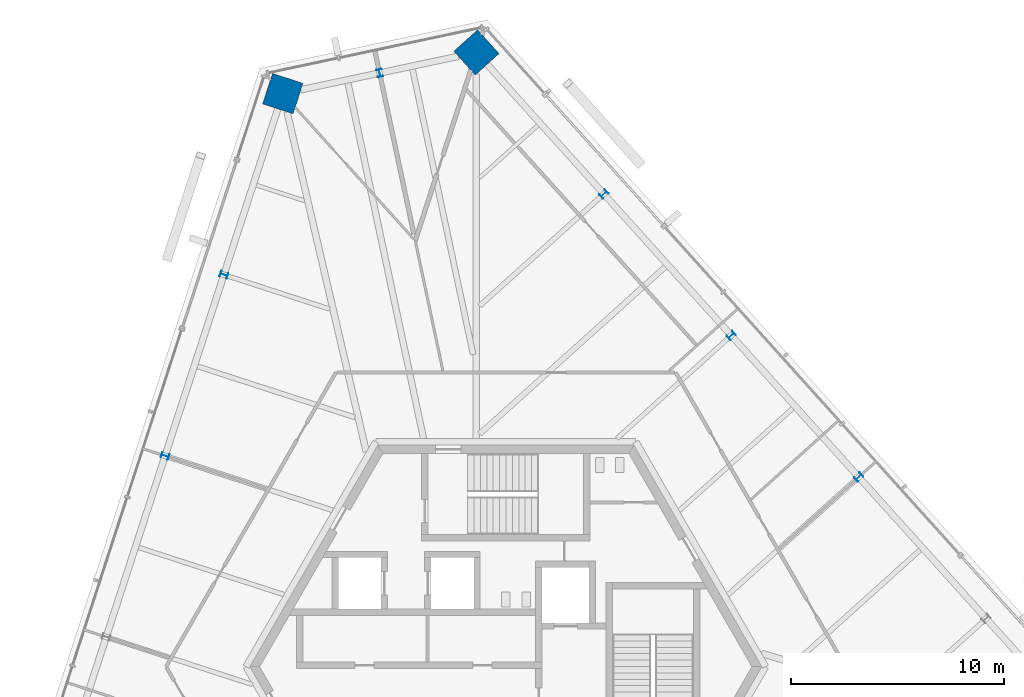
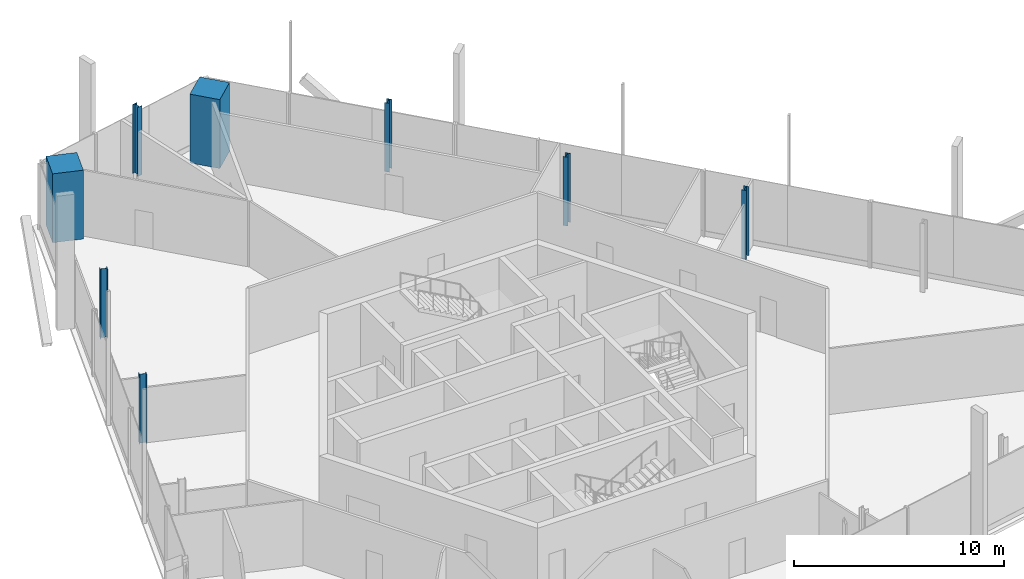
# One storey, part 3 of 17: 8 columns.
"""IFC4 building model written with IfcOpenShell, lengths in metres."""

import ifcopenshell
import ifcopenshell.guid

model = None  # the IFC model being written
_history = None  # IfcOwnerHistory: only IFC2X3 demands one
_inside = {}  # id of a spatial element -> (the spatial element, [elements in it])
_under = {}  # id of a project, library or spatial element -> (it, [spatial elements below it])
_declared = {}  # id of a project -> (the project, [libraries it declares])
_typed = {}  # id of a type object -> (the type object, [elements of that type])
_made_of = {}  # id of a material, layer set ... -> (it, [elements and type objects made of it])


def new_model(schema):
    """Start an empty IFC model of exactly this schema.

    Asked for "IFC4X3", IfcOpenShell would pick the latest addendum, in which some entities
    have other attributes; the version numbers below select the first issue.
    IFC2X3 requires an IfcOwnerHistory on every rooted entity: one is made here for all.
    """
    global model, _history
    if schema == "IFC4X3":
        model = ifcopenshell.file(schema_version=(4, 3, 0, 0))
    else:
        model = ifcopenshell.file(schema=schema)
    _inside.clear()
    _under.clear()
    _declared.clear()
    _typed.clear()
    _made_of.clear()
    _history = None
    if model.schema == "IFC2X3":
        org = make("IfcOrganization", Name="unknown")
        user = make(
            "IfcPersonAndOrganization",
            ThePerson=make("IfcPerson", FamilyName="unknown"),
            TheOrganization=org,
        )
        app = make(
            "IfcApplication",
            ApplicationDeveloper=org,
            Version="unknown",
            ApplicationFullName="unknown",
            ApplicationIdentifier="unknown",
        )
        _history = make(
            "IfcOwnerHistory",
            OwningUser=user,
            OwningApplication=app,
            ChangeAction="ADDED",
            CreationDate=0,
        )
    return model


def make(cls, **values):
    """One entity of the class cls with the attributes given. An attribute that is None is left unset."""
    return model.create_entity(
        cls, **{name: value for name, value in values.items() if value is not None}
    )


def rooted(cls, **values):
    """An entity with a GlobalId (a new one), such as an element, a storey or a relation."""
    return make(cls, GlobalId=ifcopenshell.guid.new(), OwnerHistory=_history, **values)


def si_unit(unit_type, name, prefix=None):
    """IfcSIUnit, for example si_unit("LENGTHUNIT", "METRE", prefix="MILLI")."""
    return make("IfcSIUnit", UnitType=unit_type, Prefix=prefix, Name=name)


def assignment(units):
    """IfcUnitAssignment: the units of a project."""
    return None if units is None else make("IfcUnitAssignment", Units=units)


def point(xyz):
    """IfcCartesianPoint."""
    return None if xyz is None else make("IfcCartesianPoint", Coordinates=xyz)


def direction(xyz):
    """IfcDirection."""
    return None if xyz is None else make("IfcDirection", DirectionRatios=xyz)


def frame(location, z_axis=None, x_axis=None):
    """IfcAxis2Placement3D, a coordinate frame: its origin and axes. An axis left out is left unset."""
    return make(
        "IfcAxis2Placement3D",
        Location=point(location),
        Axis=direction(z_axis),
        RefDirection=direction(x_axis),
    )


def frame_2d(location, x_axis=None):
    """IfcAxis2Placement2D, a coordinate frame in the plane: its origin and x axis."""
    return make(
        "IfcAxis2Placement2D", Location=point(location), RefDirection=direction(x_axis)
    )


def origin():
    """The frame at (0, 0, 0) with its axes left unset."""
    return frame((0.0, 0.0, 0.0))


def origin_2d():
    """The frame at (0, 0) in the plane with its x axis left unset."""
    return frame_2d((0.0, 0.0))


def place(relative_to, where):
    """IfcLocalPlacement: puts the frame where relative to a parent placement (None: the world)."""
    return make(
        "IfcLocalPlacement", PlacementRelTo=relative_to, RelativePlacement=where
    )


def context(
    kind, dimensions, precision=None, world=None, true_north=None, identifier=None
):
    """IfcGeometricRepresentationContext, for example the 3D "Model" context."""
    return make(
        "IfcGeometricRepresentationContext",
        ContextIdentifier=identifier,
        ContextType=kind,
        CoordinateSpaceDimension=dimensions,
        Precision=precision,
        WorldCoordinateSystem=world,
        TrueNorth=true_north,
    )


def subcontext(parent, identifier, kind, view, scale=None):
    """IfcGeometricRepresentationSubContext, for example "Body" below "Model"."""
    return make(
        "IfcGeometricRepresentationSubContext",
        ContextIdentifier=identifier,
        ContextType=kind,
        ParentContext=parent,
        TargetScale=scale,
        TargetView=view,
    )


def project(units=None, contexts=None):
    """IfcProject with its units and contexts."""
    return rooted(
        "IfcProject",
        Name="project",
        RepresentationContexts=contexts,
        UnitsInContext=assignment(units),
    )


def spatial(cls, under=None, at=None, **own):
    """A site, building, storey or space (cls), placed at a placement, below another one or the project."""
    s = rooted(cls, ObjectPlacement=at, **own)
    if under is not None:
        _under.setdefault(under.id(), (under, []))[1].append(s)
    return s


def profile(cls, at=None, kind="AREA", **sizes):
    """A parametric profile (cls). Its sizes go by their IFC names, for example OverallWidth=200.0."""
    return make(cls, ProfileType=kind, Position=at, **sizes)


def rectangle(**sizes):
    """IfcRectangleProfileDef."""
    return profile("IfcRectangleProfileDef", **sizes)


def i_section(**sizes):
    """IfcIShapeProfileDef."""
    return profile("IfcIShapeProfileDef", **sizes)


def extrude(swept, where, along, depth):
    """IfcExtrudedAreaSolid: the profile swept, set in the frame where, extruded along a direction by depth."""
    return make(
        "IfcExtrudedAreaSolid",
        SweptArea=swept,
        Position=where,
        ExtrudedDirection=direction(along),
        Depth=depth,
    )


def shape(context_of_items, identifier, shape_type, items):
    """IfcShapeRepresentation: the items that make up one representation, for example the "Body"."""
    return make(
        "IfcShapeRepresentation",
        ContextOfItems=context_of_items,
        RepresentationIdentifier=identifier,
        RepresentationType=shape_type,
        Items=items,
    )


def source(mapping_origin, context_of_items, identifier, shape_type, items):
    """IfcRepresentationMap: a shape defined once, which mapped items show again and again."""
    return make(
        "IfcRepresentationMap",
        MappingOrigin=mapping_origin,
        MappedRepresentation=shape(context_of_items, identifier, shape_type, items),
    )


def transform(
    local_origin,
    x_axis=None,
    y_axis=None,
    z_axis=None,
    scale=None,
    scale2=None,
    scale3=None,
    uniform=True,
):
    """IfcCartesianTransformationOperator3D, or its non-uniform kind. x_axis, y_axis, z_axis: its Axis1, 2, 3."""
    if uniform:
        return make(
            "IfcCartesianTransformationOperator3D",
            Axis1=direction(x_axis),
            Axis2=direction(y_axis),
            LocalOrigin=point(local_origin),
            Scale=scale,
            Axis3=direction(z_axis),
        )
    return make(
        "IfcCartesianTransformationOperator3DnonUniform",
        Axis1=direction(x_axis),
        Axis2=direction(y_axis),
        LocalOrigin=point(local_origin),
        Scale=scale,
        Axis3=direction(z_axis),
        Scale2=scale2,
        Scale3=scale3,
    )


def mapped(mapping_source, mapping_target):
    """IfcMappedItem: shows the shape of a source again, moved by a transform."""
    return make(
        "IfcMappedItem", MappingSource=mapping_source, MappingTarget=mapping_target
    )


def material(Name=None, Category=None):
    """IfcMaterial."""
    return make("IfcMaterial", Name=Name, Category=Category)


def material_profile(
    of_material, cross_section, Name=None, Category=None, Priority=None
):
    """IfcMaterialProfile: a cross section and its material."""
    return make(
        "IfcMaterialProfile",
        Name=Name,
        Material=of_material,
        Profile=cross_section,
        Priority=Priority,
        Category=Category,
    )


def profile_set(profiles, Name=None, composite=None):
    """IfcMaterialProfileSet."""
    return make(
        "IfcMaterialProfileSet",
        Name=Name,
        MaterialProfiles=profiles,
        CompositeProfile=composite,
    )


def made_of(thing, what):
    """Note that an element or type object is made of a material, layer set ...; save() writes the relation."""
    if what is not None:
        _made_of.setdefault(what.id(), (what, []))[1].append(thing)
    return thing


def type_object(cls, material=None, **own):
    """A type object (cls), such as IfcWallType, which elements share."""
    return made_of(rooted(cls, **own), material)


def element(
    cls,
    number,
    at=None,
    inside=None,
    cuts=None,
    type_object=None,
    material=None,
    context=None,
    identifier="Body",
    shape_type=None,
    held_by="IfcProductDefinitionShape",
    body=None,
    shapes=None,
    **own,
):
    """One element of the class cls, such as IfcWall. Its Tag is "e" and its number.

    at: its placement. inside: the storey or other place that contains it. cuts: it is an
    opening in that element (IfcRelVoidsElement). A single representation is given by context,
    identifier, shape_type and body (its items); several are given by shapes. held_by: the class
    of the entity that holds the representations. save() writes the other relations.
    """
    e = rooted(cls, Tag="e%d" % number, ObjectPlacement=at, **own)
    if body is not None:
        shapes = [shape(context, identifier, shape_type, body)]
    if shapes is not None:
        e.Representation = make(held_by, Representations=shapes)
    if inside is not None:
        _inside.setdefault(inside.id(), (inside, []))[1].append(e)
    if cuts is not None:
        rooted(
            "IfcRelVoidsElement", RelatingBuildingElement=cuts, RelatedOpeningElement=e
        )
    if type_object is not None:
        _typed.setdefault(type_object.id(), (type_object, []))[1].append(e)
    return made_of(e, material)


def aggregate(whole, parts):
    """IfcRelAggregates: a whole, such as a stair, and the parts it consists of."""
    return rooted("IfcRelAggregates", RelatingObject=whole, RelatedObjects=parts)


def save(model, path):
    """Write the relations noted so far, then the file.

    IfcRelAggregates (storeys below a building ...), IfcRelContainedInSpatialStructure (elements
    in a storey), IfcRelDefinesByType, IfcRelAssociatesMaterial and IfcRelDeclares: one each for
    every whole, place, type object, material and project.
    """
    for whole, parts in _under.values():
        aggregate(whole, parts)
    for where, things in _inside.values():
        rooted(
            "IfcRelContainedInSpatialStructure",
            RelatedElements=things,
            RelatingStructure=where,
        )
    for kind, things in _typed.values():
        rooted("IfcRelDefinesByType", RelatedObjects=things, RelatingType=kind)
    for what, things in _made_of.values():
        rooted("IfcRelAssociatesMaterial", RelatedObjects=things, RelatingMaterial=what)
    for by, libraries in _declared.values():
        rooted("IfcRelDeclares", RelatingContext=by, RelatedDefinitions=libraries)
    model.write(path)


model = new_model("IFC4")

# Units and contexts
model_context = context("Model", 3, precision=1e-05, world=origin(), true_north=direction((0.0, 1.0)))
body_context = subcontext(model_context, "Body", "Model", "MODEL_VIEW")
ifc_project = project(units=[si_unit("LENGTHUNIT", "METRE"), si_unit("AREAUNIT", "SQUARE_METRE"), si_unit("VOLUMEUNIT", "CUBIC_METRE"), si_unit("PLANEANGLEUNIT", "RADIAN"), si_unit("MASSUNIT", "GRAM", prefix="KILO")], contexts=[model_context])

# Site, building, storey
site_placement = place(None, origin())
site = spatial("IfcSite", under=ifc_project, at=site_placement, CompositionType="ELEMENT")
building_placement = place(site_placement, origin())
building = spatial("IfcBuilding", under=site, at=building_placement, Name="Triune Harvest Tower", CompositionType="ELEMENT")
storey_placement = place(building_placement, frame((0.0, 0.0, 288.699951171875)))
storey = spatial("IfcBuildingStorey", under=building, at=storey_placement, Name="L76", CompositionType="ELEMENT", Elevation=288.699951171875)

# Columns
ifc_material_1 = material(Name="Concrete 70 MPa", Category="concrete")
ifc_material_profile_1 = material_profile(ifc_material_1, rectangle(XDim=1.5, YDim=1.5, at=origin_2d()), Name="Composite 1500x1500")
ifc_profile_set_1 = profile_set([ifc_material_profile_1], Name="Concrete 70 MPa")
column_type_1 = type_object("IfcColumnType", Name="MC-7 Mega column Composite 1500x1500", PredefinedType="COLUMN", material=ifc_profile_set_1)
shared_shape_1 = source(origin(), body_context, "Body", "SweptSolid", [
    extrude(rectangle(XDim=1.5, YDim=1.5, at=origin_2d()), origin(), (0.0, 0.0, 1.0), 4.0),
])
for number, where, z_axis, x_axis, name in (
    (1, (-1.376708984375, 28.794921875, 0.0), (0.0, 0.0, 1.0), (-0.669130606359, 0.743144825477, 0.0), "col/L76/M5"),
    (2, (-10.4541015625, 26.865478515625, 0.0), (0.0, 0.0, 1.0), (-0.309015334468, -0.95105705563, 0.0), "col/L76/M7"),
):
    element("IfcColumn", number, at=place(storey_placement, frame(where, z_axis=z_axis, x_axis=x_axis)), inside=storey, type_object=column_type_1, Name=name, PredefinedType="COLUMN", context=body_context, shape_type="MappedRepresentation", body=[
        mapped(shared_shape_1, transform((0.0, 0.0, 0.0), scale=1.0)),
    ])
ifc_material_2 = material(Name="Steel ASTM A992 Gr 50", Category="steel")
ifc_material_profile_2 = material_profile(ifc_material_2, i_section(OverallWidth=0.256591796875, OverallDepth=0.360595703125, WebThickness=0.011474609375, FlangeThickness=0.02001953125, at=origin_2d()), Name="W14x74")
ifc_profile_set_2 = profile_set([ifc_material_profile_2], Name="Steel ASTM A992 Gr 50")
column_type_2 = type_object("IfcColumnType", Name="PC-7 Perimeter column W14x74", PredefinedType="COLUMN", material=ifc_profile_set_2)
shared_shape_2 = source(origin(), body_context, "Body", "SweptSolid", [
    extrude(i_section(OverallWidth=0.256591796875, OverallDepth=0.360595703125, WebThickness=0.011474609375, FlangeThickness=0.02001953125, at=origin_2d()), origin(), (0.0, 0.0, 1.0), 4.0),
])
for number, where, z_axis, x_axis, name in (
    (3, (16.545166015625, 8.890380859375, 0.0), (0.0, 0.0, 1.0), (-0.669130606359, 0.743144825477, 0.0), "col/L76/P2"),
    (4, (10.5712890625, 15.525146484375, 0.0), (0.0, 0.0, 1.0), (-0.669130606359, 0.743144825477, 0.0), "col/L76/P3"),
    (5, (4.59716796875, 22.159912109375, 1.199951171875), (0.0, 0.0, 1.0), (-0.669130606359, 0.743144825477, 0.0), "col/L76/P4"),
    (6, (-5.91552734375, 27.830078125, 1.199951171875), (0.0, 0.0, 1.0), (-0.978147600734, -0.207911690818, 0.0), "col/L76/P6"),
    (7, (-13.212890625, 18.37451171875, 0.0), (0.0, 0.0, 1.0), (-0.309015334468, -0.95105705563, 0.0), "col/L76/P8"),
    (8, (-15.971923828125, 9.88330078125, 0.0), (0.0, 0.0, 1.0), (-0.309015334468, -0.95105705563, 0.0), "col/L76/P9"),
):
    element("IfcColumn", number, at=place(storey_placement, frame(where, z_axis=z_axis, x_axis=x_axis)), inside=storey, type_object=column_type_2, Name=name, PredefinedType="COLUMN", context=body_context, shape_type="MappedRepresentation", body=[
        mapped(shared_shape_2, transform((0.0, 0.0, 0.0), scale=1.0)),
    ])

save(model, "model.ifc")
